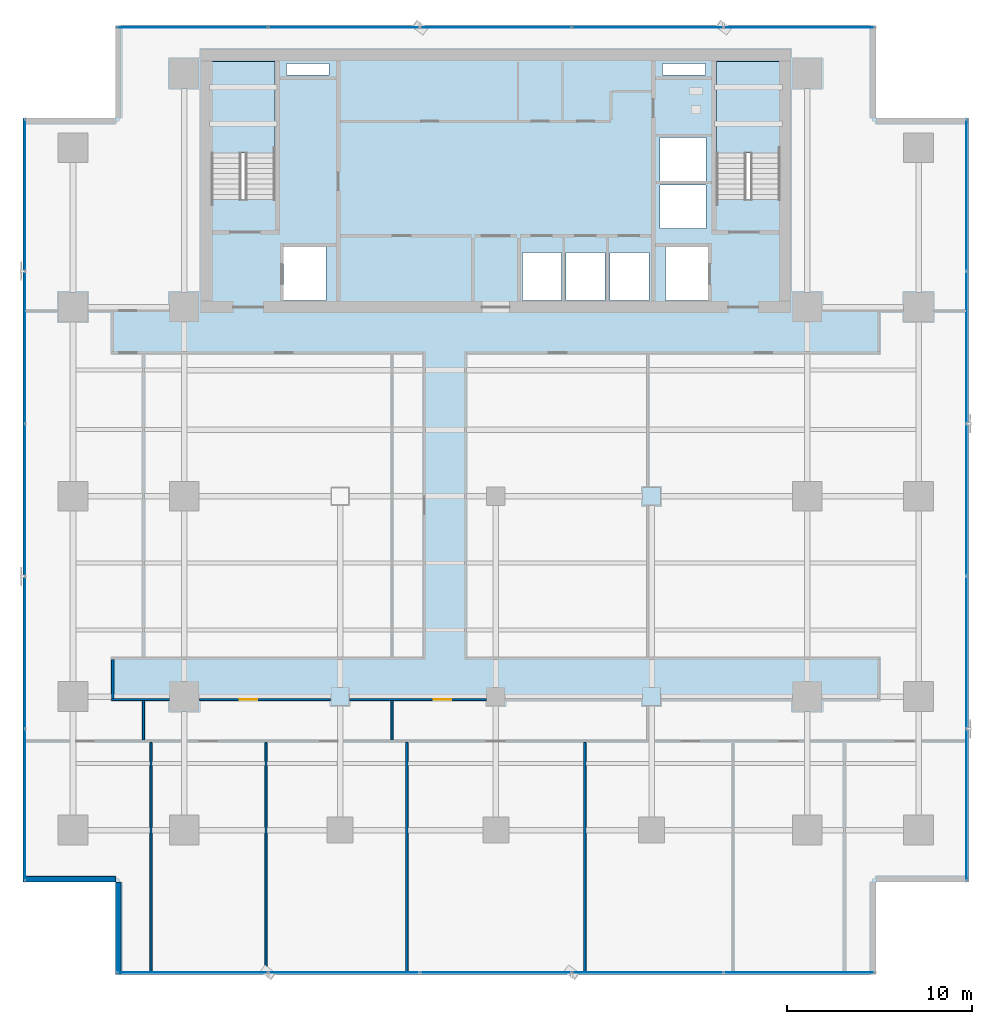
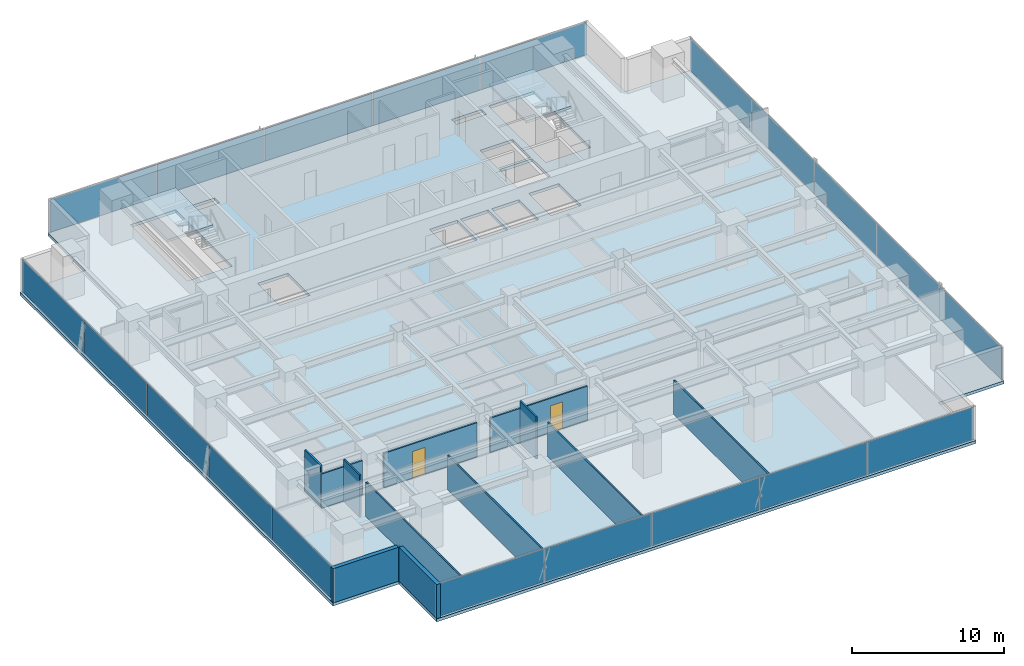
# One storey, part 27 of 36: 20 plates, 12 walls, 3 slabs, 2 doors, 2 openings, 6 elements without a shape of their own.
"""IFC4 building model written with IfcOpenShell, lengths in metres."""

from ifc_helpers import new_model, si_unit, direction, frame, frame_2d, origin, origin_2d, place, context, subcontext, project, spatial, polyline, rectangle, outline, extrude, source, transform, mapped, material, layer, layer_set, type_object, element, fill, aggregate, save


model = new_model("IFC4")

# Units and contexts
model_context = context("Model", 3, precision=1e-05, world=origin(), true_north=direction((0.0, 1.0)))
body_context = subcontext(model_context, "Body", "Model", "MODEL_VIEW")
ifc_project = project(units=[si_unit("LENGTHUNIT", "METRE"), si_unit("AREAUNIT", "SQUARE_METRE"), si_unit("VOLUMEUNIT", "CUBIC_METRE"), si_unit("PLANEANGLEUNIT", "RADIAN"), si_unit("MASSUNIT", "GRAM", prefix="KILO")], contexts=[model_context])

# Site, building, storey
site_placement = place(None, origin())
site = spatial("IfcSite", under=ifc_project, at=site_placement, CompositionType="ELEMENT")
building_placement = place(site_placement, origin())
building = spatial("IfcBuilding", under=site, at=building_placement, Name="Sumidabori Civic Tower", CompositionType="ELEMENT")
storey_placement = place(building_placement, frame((0.0, 0.0, 84.800048828125)))
storey = spatial("IfcBuildingStorey", under=building, at=storey_placement, Name="L21", CompositionType="ELEMENT", Elevation=84.800048828125)

# Stair, slab
ifc_material_1 = material(Name="Concrete C40/50", Category="concrete")
stair_type = type_object("IfcStairType", Name="ST-CORE-1600", PredefinedType="HALF_TURN_STAIR", material=ifc_material_1)
stair_1_placement = place(storey_placement, origin())
stair_1 = element("IfcStair", 1, at=stair_1_placement, inside=storey, type_object=stair_type, Name="L21 ST-1", PredefinedType="HALF_TURN_STAIR")
ifc_layer_1 = layer(ifc_material_1, 0.199951171875, Name="Concrete C40/50")
ifc_layer_set_1 = layer_set([ifc_layer_1], Name="Concrete C40/50")
slab_type_1 = type_object("IfcSlabType", Name="SL-LAND-200", PredefinedType="LANDING", material=ifc_layer_set_1)
slab_1_placement = place(storey_placement, frame((0.0, 0.0, 1.599853515625)))
slab_1 = element("IfcSlab", 2, at=slab_1_placement, type_object=slab_type_1, Name="ST-1 landing 1", PredefinedType="LANDING", context=body_context, shape_type="SweptSolid", body=[
    extrude(outline(polyline([(-11.89990234375, 18.52001953125), (-11.89990234375, 23.449951171875), (-15.340087890625, 23.449951171875), (-15.340087890625, 18.52001953125), (-11.89990234375, 18.52001953125)])), origin(), (0.0, 0.0, 1.0), 0.2001953125),
])
aggregate(stair_1, [slab_1])

stair_2_placement = place(storey_placement, origin())
stair_2 = element("IfcStair", 3, at=stair_2_placement, inside=storey, type_object=stair_type, Name="L21 ST-2", PredefinedType="HALF_TURN_STAIR")
slab_2_placement = place(storey_placement, frame((0.0, 0.0, 1.599853515625)))
slab_2 = element("IfcSlab", 4, at=slab_2_placement, type_object=slab_type_1, Name="ST-2 landing 1", PredefinedType="LANDING", context=body_context, shape_type="SweptSolid", body=[
    extrude(outline(polyline([(15.340087890625, 18.52001953125), (15.340087890625, 23.449951171875), (11.89990234375, 23.449951171875), (11.89990234375, 18.52001953125), (15.340087890625, 18.52001953125)])), origin(), (0.0, 0.0, 1.0), 0.2001953125),
])
aggregate(stair_2, [slab_2])

# Slab
ifc_layer_2 = layer(ifc_material_1, 0.239990234375, Name="Concrete C40/50")
ifc_layer_set_2 = layer_set([ifc_layer_2], Name="Concrete C40/50")
slab_type_2 = type_object("IfcSlabType", Name="SL-Z1-240", PredefinedType="FLOOR", material=ifc_layer_set_2)
slab_3_placement = place(storey_placement, frame((0.0, 0.0, -0.239990234375)))
element("IfcSlab", 5, at=slab_3_placement, inside=storey, type_object=slab_type_2, Name="Structural Slab L21", PredefinedType="FLOOR", context=body_context, shape_type="SweptSolid", body=[
    extrude(outline(polyline([(-20.5, -25.800048828125), (20.5, -25.800048828125), (20.5, -20.800048828125), (25.5, -20.800048828125), (25.5, 20.39990234375), (20.5, 20.39990234375), (20.5, 25.39990234375), (-20.5, 25.39990234375), (-20.5, 20.39990234375), (-25.5, 20.39990234375), (-25.5, -20.800048828125), (-20.5, -20.800048828125), (-20.5, -25.800048828125)]), holes=[polyline([(-11.89990234375, 16.0), (-11.89990234375, 23.449951171875), (-15.340087890625, 23.449951171875), (-15.340087890625, 16.0), (-11.89990234375, 16.0)]), polyline([(15.340087890625, 16.0), (15.340087890625, 23.449951171875), (11.89990234375, 23.449951171875), (11.89990234375, 16.0), (15.340087890625, 16.0)]), polyline([(-11.449951171875, 10.550048828125), (-9.14990234375, 10.550048828125), (-9.14990234375, 13.449951171875), (-11.449951171875, 13.449951171875), (-11.449951171875, 10.550048828125)]), polyline([(9.14990234375, 10.550048828125), (11.449951171875, 10.550048828125), (11.449951171875, 13.449951171875), (9.14990234375, 13.449951171875), (9.14990234375, 10.550048828125)]), polyline([(1.449951171875, 10.550048828125), (3.550048828125, 10.550048828125), (3.550048828125, 13.14990234375), (1.449951171875, 13.14990234375), (1.449951171875, 10.550048828125)]), polyline([(3.800048828125, 10.550048828125), (5.89990234375, 10.550048828125), (5.89990234375, 13.14990234375), (3.800048828125, 13.14990234375), (3.800048828125, 10.550048828125)]), polyline([(6.14990234375, 10.550048828125), (8.25, 10.550048828125), (8.25, 13.14990234375), (6.14990234375, 13.14990234375), (6.14990234375, 10.550048828125)]), polyline([(8.85009765625, 14.449951171875), (11.35009765625, 14.449951171875), (11.35009765625, 16.800048828125), (8.85009765625, 16.800048828125), (8.85009765625, 14.449951171875)]), polyline([(8.85009765625, 17.0), (11.35009765625, 17.0), (11.35009765625, 19.35009765625), (8.85009765625, 19.35009765625), (8.85009765625, 17.0)]), polyline([(-11.300048828125, 22.719970703125), (-9.0, 22.719970703125), (-9.0, 23.35009765625), (-11.300048828125, 23.35009765625), (-11.300048828125, 22.719970703125)]), polyline([(9.0, 22.719970703125), (11.300048828125, 22.719970703125), (11.300048828125, 23.35009765625), (9.0, 23.35009765625), (9.0, 22.719970703125)])]), origin(), (0.0, 0.0, 1.0), 0.239990234375),
])

# Curtain wall, plates
ifc_material_2 = material(Name="Anodised Bronze Aluminium AW-6063-T6", Category="aluminium")
ifc_layer_3 = layer(ifc_material_2, 0.179931640625, Name="Anodised Bronze Aluminium AW-6063-T6")
ifc_layer_set_3 = layer_set([ifc_layer_3], Name="Anodised Bronze Aluminium AW-6063-T6")
curtain_wall_type = type_object("IfcCurtainWallType", Name="CW-SYS-3", PredefinedType="NOTDEFINED", material=ifc_layer_set_3)
curtain_wall_1_placement = place(storey_placement, origin())
curtain_wall_1 = element("IfcCurtainWall", 6, at=curtain_wall_1_placement, inside=storey, type_object=curtain_wall_type, Name="Curtain Wall CW:L21:R01", PredefinedType="NOTDEFINED")
ifc_material_3 = material(Name="Low-E Solar-Control Vision Glazing", Category="glass")
ifc_layer_4 = layer(ifc_material_3, 0.028076171875, Name="Low-E Solar-Control Vision Glazing")
ifc_layer_set_4 = layer_set([ifc_layer_4], Name="Low-E Solar-Control Vision Glazing")
plate_type = type_object("IfcPlateType", Name="CW-PNL-28", PredefinedType="CURTAIN_PANEL", material=ifc_layer_set_4)
shared_shape_1 = source(origin(), body_context, "Body", "SweptSolid", [
    extrude(rectangle(XDim=8.090576171875, YDim=0.028076171875, at=origin_2d()), origin(), (0.0, 0.0, 1.0), 2.6201171875),
])
plate_1_placement = place(storey_placement, frame((-16.35986328125, -25.679931640625, 0.059814453125), z_axis=(0.0, 0.0, 1.0), x_axis=(1.0, 0.0, 0.0)))
plate_1 = element("IfcPlate", 7, at=plate_1_placement, type_object=plate_type, Name="CW-3 panel 1.1", PredefinedType="CURTAIN_PANEL", context=body_context, shape_type="MappedRepresentation", body=[
    mapped(shared_shape_1, transform((0.0, 0.0, 0.0), x_axis=(1.0, 0.0, 0.0), y_axis=(0.0, 1.0, 0.0), z_axis=(0.0, 0.0, 1.0), scale=1.0)),
])
plate_2_placement = place(storey_placement, frame((16.35986328125, -25.679931640625, 0.059814453125), z_axis=(0.0, 0.0, 1.0), x_axis=(1.0, 0.0, 0.0)))
plate_2 = element("IfcPlate", 8, at=plate_2_placement, type_object=plate_type, Name="CW-3 panel 5.1", PredefinedType="CURTAIN_PANEL", context=body_context, shape_type="MappedRepresentation", body=[
    mapped(shared_shape_1, transform((0.0, 0.0, 0.0), x_axis=(1.0, 0.0, 0.0), y_axis=(0.0, 1.0, 0.0), z_axis=(0.0, 0.0, 1.0), scale=1.0)),
])

curtain_wall_2_placement = place(storey_placement, origin())
curtain_wall_2 = element("IfcCurtainWall", 9, at=curtain_wall_2_placement, inside=storey, type_object=curtain_wall_type, Name="Curtain Wall CW:L21:R07", PredefinedType="NOTDEFINED")
plate_3_placement = place(storey_placement, frame((16.35986328125, 25.280029296875, 0.059814453125), z_axis=(0.0, 0.0, 1.0), x_axis=(-1.0, 0.0, 0.0)))
plate_3 = element("IfcPlate", 10, at=plate_3_placement, type_object=plate_type, Name="CW-3 panel 1.1", PredefinedType="CURTAIN_PANEL", context=body_context, shape_type="MappedRepresentation", body=[
    mapped(shared_shape_1, transform((0.0, 0.0, 0.0), x_axis=(1.0, 0.0, 0.0), y_axis=(0.0, 1.0, 0.0), z_axis=(0.0, 0.0, 1.0), scale=1.0)),
])
plate_4_placement = place(storey_placement, frame((-16.35986328125, 25.280029296875, 0.059814453125), z_axis=(0.0, 0.0, 1.0), x_axis=(-1.0, 0.0, 0.0)))
plate_4 = element("IfcPlate", 11, at=plate_4_placement, type_object=plate_type, Name="CW-3 panel 5.1", PredefinedType="CURTAIN_PANEL", context=body_context, shape_type="MappedRepresentation", body=[
    mapped(shared_shape_1, transform((0.0, 0.0, 0.0), x_axis=(1.0, 0.0, 0.0), y_axis=(0.0, 1.0, 0.0), z_axis=(0.0, 0.0, 1.0), scale=1.0)),
])

# Plate
shared_shape_2 = source(origin(), body_context, "Body", "SweptSolid", [
    extrude(rectangle(XDim=8.123046875, YDim=0.028076171875, at=origin_2d()), origin(), (0.0, 0.0, 1.0), 2.6201171875),
])
plate_5_placement = place(storey_placement, frame((-8.18798828125, -25.679931640625, 0.059814453125), z_axis=(0.0, 0.0, 1.0), x_axis=(1.0, 0.0, 0.0)))
plate_5 = element("IfcPlate", 12, at=plate_5_placement, type_object=plate_type, Name="CW-3 panel 2.1", PredefinedType="CURTAIN_PANEL", context=body_context, shape_type="MappedRepresentation", body=[
    mapped(shared_shape_2, transform((0.0, 0.0, 0.0), x_axis=(1.0, 0.0, 0.0), y_axis=(0.0, 1.0, 0.0), z_axis=(0.0, 0.0, 1.0), scale=1.0)),
])

plate_6_placement = place(storey_placement, frame((0.0, -25.679931640625, 0.059814453125), z_axis=(0.0, 0.0, 1.0), x_axis=(1.0, 0.0, 0.0)))
plate_6 = element("IfcPlate", 13, at=plate_6_placement, type_object=plate_type, Name="CW-3 panel 3.1", PredefinedType="CURTAIN_PANEL", context=body_context, shape_type="MappedRepresentation", body=[
    mapped(shared_shape_2, transform((0.0, 0.0, 0.0), x_axis=(1.0, 0.0, 0.0), y_axis=(0.0, 1.0, 0.0), z_axis=(0.0, 0.0, 1.0), scale=1.0)),
])

plate_7_placement = place(storey_placement, frame((8.18798828125, -25.679931640625, 0.059814453125), z_axis=(0.0, 0.0, 1.0), x_axis=(1.0, 0.0, 0.0)))
plate_7 = element("IfcPlate", 14, at=plate_7_placement, type_object=plate_type, Name="CW-3 panel 4.1", PredefinedType="CURTAIN_PANEL", context=body_context, shape_type="MappedRepresentation", body=[
    mapped(shared_shape_2, transform((0.0, 0.0, 0.0), x_axis=(1.0, 0.0, 0.0), y_axis=(0.0, 1.0, 0.0), z_axis=(0.0, 0.0, 1.0), scale=1.0)),
])

aggregate(curtain_wall_1, [plate_1, plate_5, plate_6, plate_7, plate_2])

plate_8_placement = place(storey_placement, frame((8.18798828125, 25.280029296875, 0.059814453125), z_axis=(0.0, 0.0, 1.0), x_axis=(-1.0, 0.0, 0.0)))
plate_8 = element("IfcPlate", 15, at=plate_8_placement, type_object=plate_type, Name="CW-3 panel 2.1", PredefinedType="CURTAIN_PANEL", context=body_context, shape_type="MappedRepresentation", body=[
    mapped(shared_shape_2, transform((0.0, 0.0, 0.0), x_axis=(1.0, 0.0, 0.0), y_axis=(0.0, 1.0, 0.0), z_axis=(0.0, 0.0, 1.0), scale=1.0)),
])

plate_9_placement = place(storey_placement, frame((0.0, 25.280029296875, 0.059814453125), z_axis=(0.0, 0.0, 1.0), x_axis=(-1.0, 0.0, 0.0)))
plate_9 = element("IfcPlate", 16, at=plate_9_placement, type_object=plate_type, Name="CW-3 panel 3.1", PredefinedType="CURTAIN_PANEL", context=body_context, shape_type="MappedRepresentation", body=[
    mapped(shared_shape_2, transform((0.0, 0.0, 0.0), x_axis=(1.0, 0.0, 0.0), y_axis=(0.0, 1.0, 0.0), z_axis=(0.0, 0.0, 1.0), scale=1.0)),
])

plate_10_placement = place(storey_placement, frame((-8.18798828125, 25.280029296875, 0.059814453125), z_axis=(0.0, 0.0, 1.0), x_axis=(-1.0, 0.0, 0.0)))
plate_10 = element("IfcPlate", 17, at=plate_10_placement, type_object=plate_type, Name="CW-3 panel 4.1", PredefinedType="CURTAIN_PANEL", context=body_context, shape_type="MappedRepresentation", body=[
    mapped(shared_shape_2, transform((0.0, 0.0, 0.0), x_axis=(1.0, 0.0, 0.0), y_axis=(0.0, 1.0, 0.0), z_axis=(0.0, 0.0, 1.0), scale=1.0)),
])

aggregate(curtain_wall_2, [plate_3, plate_8, plate_9, plate_10, plate_4])

# Curtain wall, plates
curtain_wall_3_placement = place(storey_placement, origin())
curtain_wall_3 = element("IfcCurtainWall", 18, at=curtain_wall_3_placement, inside=storey, type_object=curtain_wall_type, Name="Curtain Wall CW:L21:R04", PredefinedType="NOTDEFINED")
shared_shape_3 = source(origin(), body_context, "Body", "SweptSolid", [
    extrude(rectangle(XDim=8.130615234375, YDim=0.028076171875, at=origin_2d()), origin(), (0.0, 0.0, 1.0), 2.6201171875),
])
plate_11_placement = place(storey_placement, frame((25.3798828125, -16.6396484375, 0.059814453125), z_axis=(0.0, 0.0, 1.0), x_axis=(0.0, 1.0, 0.0)))
plate_11 = element("IfcPlate", 19, at=plate_11_placement, type_object=plate_type, Name="CW-3 panel 1.1", PredefinedType="CURTAIN_PANEL", context=body_context, shape_type="MappedRepresentation", body=[
    mapped(shared_shape_3, transform((0.0, 0.0, 0.0), x_axis=(1.0, 0.0, 0.0), y_axis=(0.0, 1.0, 0.0), z_axis=(0.0, 0.0, 1.0), scale=1.0)),
])
plate_12_placement = place(storey_placement, frame((25.3798828125, 16.23974609375, 0.059814453125), z_axis=(0.0, 0.0, 1.0), x_axis=(0.0, 1.0, 0.0)))
plate_12 = element("IfcPlate", 20, at=plate_12_placement, type_object=plate_type, Name="CW-3 panel 5.1", PredefinedType="CURTAIN_PANEL", context=body_context, shape_type="MappedRepresentation", body=[
    mapped(shared_shape_3, transform((0.0, 0.0, 0.0), x_axis=(1.0, 0.0, 0.0), y_axis=(0.0, 1.0, 0.0), z_axis=(0.0, 0.0, 1.0), scale=1.0)),
])

curtain_wall_4_placement = place(storey_placement, origin())
curtain_wall_4 = element("IfcCurtainWall", 21, at=curtain_wall_4_placement, inside=storey, type_object=curtain_wall_type, Name="Curtain Wall CW:L21:R10", PredefinedType="NOTDEFINED")
plate_13_placement = place(storey_placement, frame((-25.3798828125, 16.23974609375, 0.059814453125), z_axis=(0.0, 0.0, 1.0), x_axis=(0.0, -1.0, 0.0)))
plate_13 = element("IfcPlate", 22, at=plate_13_placement, type_object=plate_type, Name="CW-3 panel 1.1", PredefinedType="CURTAIN_PANEL", context=body_context, shape_type="MappedRepresentation", body=[
    mapped(shared_shape_3, transform((0.0, 0.0, 0.0), x_axis=(1.0, 0.0, 0.0), y_axis=(0.0, 1.0, 0.0), z_axis=(0.0, 0.0, 1.0), scale=1.0)),
])
plate_14_placement = place(storey_placement, frame((-25.3798828125, -16.6396484375, 0.059814453125), z_axis=(0.0, 0.0, 1.0), x_axis=(0.0, -1.0, 0.0)))
plate_14 = element("IfcPlate", 23, at=plate_14_placement, type_object=plate_type, Name="CW-3 panel 5.1", PredefinedType="CURTAIN_PANEL", context=body_context, shape_type="MappedRepresentation", body=[
    mapped(shared_shape_3, transform((0.0, 0.0, 0.0), x_axis=(1.0, 0.0, 0.0), y_axis=(0.0, 1.0, 0.0), z_axis=(0.0, 0.0, 1.0), scale=1.0)),
])

# Plate
shared_shape_4 = source(origin(), body_context, "Body", "SweptSolid", [
    extrude(rectangle(XDim=8.1630859375, YDim=0.028076171875, at=origin_2d()), origin(), (0.0, 0.0, 1.0), 2.6201171875),
])
plate_15_placement = place(storey_placement, frame((25.3798828125, -8.427978515625, 0.059814453125), z_axis=(0.0, 0.0, 1.0), x_axis=(0.0, 1.0, 0.0)))
plate_15 = element("IfcPlate", 24, at=plate_15_placement, type_object=plate_type, Name="CW-3 panel 2.1", PredefinedType="CURTAIN_PANEL", context=body_context, shape_type="MappedRepresentation", body=[
    mapped(shared_shape_4, transform((0.0, 0.0, 0.0), x_axis=(1.0, 0.0, 0.0), y_axis=(0.0, 1.0, 0.0), z_axis=(0.0, 0.0, 1.0), scale=1.0)),
])

plate_16_placement = place(storey_placement, frame((25.3798828125, -0.199951171875, 0.059814453125), z_axis=(0.0, 0.0, 1.0), x_axis=(0.0, 1.0, 0.0)))
plate_16 = element("IfcPlate", 25, at=plate_16_placement, type_object=plate_type, Name="CW-3 panel 3.1", PredefinedType="CURTAIN_PANEL", context=body_context, shape_type="MappedRepresentation", body=[
    mapped(shared_shape_4, transform((0.0, 0.0, 0.0), x_axis=(1.0, 0.0, 0.0), y_axis=(0.0, 1.0, 0.0), z_axis=(0.0, 0.0, 1.0), scale=1.0)),
])

plate_17_placement = place(storey_placement, frame((25.3798828125, 8.028076171875, 0.059814453125), z_axis=(0.0, 0.0, 1.0), x_axis=(0.0, 1.0, 0.0)))
plate_17 = element("IfcPlate", 26, at=plate_17_placement, type_object=plate_type, Name="CW-3 panel 4.1", PredefinedType="CURTAIN_PANEL", context=body_context, shape_type="MappedRepresentation", body=[
    mapped(shared_shape_4, transform((0.0, 0.0, 0.0), x_axis=(1.0, 0.0, 0.0), y_axis=(0.0, 1.0, 0.0), z_axis=(0.0, 0.0, 1.0), scale=1.0)),
])

aggregate(curtain_wall_3, [plate_11, plate_15, plate_16, plate_17, plate_12])

plate_18_placement = place(storey_placement, frame((-25.3798828125, 8.028076171875, 0.059814453125), z_axis=(0.0, 0.0, 1.0), x_axis=(0.0, -1.0, 0.0)))
plate_18 = element("IfcPlate", 27, at=plate_18_placement, type_object=plate_type, Name="CW-3 panel 2.1", PredefinedType="CURTAIN_PANEL", context=body_context, shape_type="MappedRepresentation", body=[
    mapped(shared_shape_4, transform((0.0, 0.0, 0.0), x_axis=(1.0, 0.0, 0.0), y_axis=(0.0, 1.0, 0.0), z_axis=(0.0, 0.0, 1.0), scale=1.0)),
])

plate_19_placement = place(storey_placement, frame((-25.3798828125, -0.199951171875, 0.059814453125), z_axis=(0.0, 0.0, 1.0), x_axis=(0.0, -1.0, 0.0)))
plate_19 = element("IfcPlate", 28, at=plate_19_placement, type_object=plate_type, Name="CW-3 panel 3.1", PredefinedType="CURTAIN_PANEL", context=body_context, shape_type="MappedRepresentation", body=[
    mapped(shared_shape_4, transform((0.0, 0.0, 0.0), x_axis=(1.0, 0.0, 0.0), y_axis=(0.0, 1.0, 0.0), z_axis=(0.0, 0.0, 1.0), scale=1.0)),
])

plate_20_placement = place(storey_placement, frame((-25.3798828125, -8.427978515625, 0.059814453125), z_axis=(0.0, 0.0, 1.0), x_axis=(0.0, -1.0, 0.0)))
plate_20 = element("IfcPlate", 29, at=plate_20_placement, type_object=plate_type, Name="CW-3 panel 4.1", PredefinedType="CURTAIN_PANEL", context=body_context, shape_type="MappedRepresentation", body=[
    mapped(shared_shape_4, transform((0.0, 0.0, 0.0), x_axis=(1.0, 0.0, 0.0), y_axis=(0.0, 1.0, 0.0), z_axis=(0.0, 0.0, 1.0), scale=1.0)),
])

aggregate(curtain_wall_4, [plate_13, plate_18, plate_19, plate_20, plate_14])

# Walls
ifc_material_4 = material(Name="Precast concrete C40/50", Category="concrete")
ifc_layer_5 = layer(ifc_material_4, 0.300048828125, Name="Precast concrete C40/50")
ifc_layer_set_5 = layer_set([ifc_layer_5], Name="Precast concrete C40/50")
wall_type_1 = type_object("IfcWallType", Name="WL-EXT-POD300", PredefinedType="STANDARD", material=ifc_layer_set_5)
shared_shape_5 = source(origin(), body_context, "Body", "SweptSolid", [
    extrude(rectangle(XDim=4.9599609375, YDim=0.300048828125, at=frame_2d((2.47998046875, 0.0))), origin(), (0.0, 0.0, 1.0), 2.739990234375),
])
for number, where, z_axis, x_axis, name in (
    (30, (-25.47998046875, -20.64990234375, 0.0), (0.0, 0.0, 1.0), (1.0, 0.0, 0.0), "Notched Corner Spandrel Band L21-11"),
    (31, (-20.35009765625, -20.820068359375, 0.0), (0.0, 0.0, 1.0), (0.0, -1.0, 0.0), "Notched Corner Spandrel Band L21-12"),
):
    element("IfcWall", number, at=place(storey_placement, frame(where, z_axis=z_axis, x_axis=x_axis)), inside=storey, type_object=wall_type_1, Name=name, PredefinedType="STANDARD", context=body_context, shape_type="MappedRepresentation", body=[
        mapped(shared_shape_5, transform((0.0, 0.0, 0.0), x_axis=(1.0, 0.0, 0.0), y_axis=(0.0, 1.0, 0.0), z_axis=(0.0, 0.0, 1.0), scale=1.0)),
    ])
ifc_material_5 = material(Name="Gypsum Plasterboard Acoustic Partition")
ifc_layer_6 = layer(ifc_material_5, 0.1201171875, Name="Gypsum Plasterboard Acoustic Partition")
ifc_layer_set_6 = layer_set([ifc_layer_6], Name="Gypsum Plasterboard Acoustic Partition")
wall_type_2 = type_object("IfcWallType", Name="WL-PART-120", PredefinedType="PARTITIONING", material=ifc_layer_set_6)
shared_shape_6 = source(origin(), body_context, "Body", "SweptSolid", [
    extrude(rectangle(XDim=3.10986328125, YDim=0.1201171875, at=frame_2d((1.554931640625, 0.0))), origin(), (0.0, 0.0, 1.0), 2.744873046875),
])
wall_1_placement = place(storey_placement, frame((-20.719970703125, -10.9599609375, 0.0), z_axis=(0.0, 0.0, 1.0), x_axis=(1.0, 0.0, 0.0)))
element("IfcWall", 32, at=wall_1_placement, inside=storey, type_object=wall_type_2, Name="Interior Partition WL:L21:CORR-SS-1", PredefinedType="PARTITIONING", context=body_context, shape_type="MappedRepresentation", body=[
    mapped(shared_shape_6, transform((0.0, 0.0, 0.0), x_axis=(1.0, 0.0, 0.0), y_axis=(0.0, 1.0, 0.0), z_axis=(0.0, 0.0, 1.0), scale=1.0)),
])

# Wall, opening, door
shared_shape_7 = source(origin(), body_context, "Body", "SweptSolid", [
    extrude(rectangle(XDim=7.080078125, YDim=0.1201171875, at=frame_2d((3.5400390625, 0.0))), origin(), (0.0, 0.0, 1.0), 2.744873046875),
])
wall_2_placement = place(storey_placement, frame((-15.989990234375, -10.9599609375, 0.0), z_axis=(0.0, 0.0, 1.0), x_axis=(1.0, 0.0, 0.0)))
wall_2 = element("IfcWall", 33, at=wall_2_placement, inside=storey, type_object=wall_type_2, Name="Interior Partition WL:L21:CORR-SS-2", PredefinedType="PARTITIONING", context=body_context, shape_type="MappedRepresentation", body=[
    mapped(shared_shape_7, transform((0.0, 0.0, 0.0), x_axis=(1.0, 0.0, 0.0), y_axis=(0.0, 1.0, 0.0), z_axis=(0.0, 0.0, 1.0), scale=1.0)),
])
opening_1_placement = place(wall_2_placement, frame((2.18505859375, 0.0, 0.0)))
opening_1 = element("IfcOpeningElement", 34, at=opening_1_placement, cuts=wall_2, Name="Opening DR-2", PredefinedType="OPENING", context=body_context, shape_type="SweptSolid", body=[
    extrude(rectangle(XDim=0.949951171875, YDim=2.14990234375, at=frame_2d((0.47509765625, 1.074951171875))), frame((0.0, 0.072021484375, 0.0), z_axis=(0.0, -1.0, 0.0), x_axis=(1.0, 0.0, 0.0)), (0.0, 0.0, 1.0), 0.14404296875),
])
ifc_material_6 = material(Name="Japanese Hinoki Timber", Category="wood")
door_type = type_object("IfcDoorType", Name="DR-INT-950", OperationType="NOTDEFINED", PredefinedType="DOOR", material=ifc_material_6)
shared_shape_8 = source(origin(), body_context, "Body", "SweptSolid", [
    extrude(rectangle(XDim=0.949951171875, YDim=2.14990234375, at=frame_2d((0.47509765625, 1.074951171875))), frame((0.0, 0.02490234375, 0.0), z_axis=(0.0, -1.0, 0.0), x_axis=(1.0, 0.0, 0.0)), (0.0, 0.0, 1.0), 0.050048828125),
])
door_1_placement = place(opening_1_placement, origin())
door_1 = element("IfcDoor", 35, at=door_1_placement, inside=storey, type_object=door_type, Name="Door DR:L21:D07", OperationType="SINGLE_SWING_LEFT", OverallHeight=2.14990234375, OverallWidth=0.949951171875, PredefinedType="DOOR", context=body_context, shape_type="MappedRepresentation", body=[
    mapped(shared_shape_8, transform((0.0, 0.0, 0.0), x_axis=(1.0, 0.0, 0.0), y_axis=(0.0, 1.0, 0.0), z_axis=(0.0, 0.0, 1.0), scale=1.0)),
])
fill(opening_1, door_1)

shared_shape_9 = source(origin(), body_context, "Body", "SweptSolid", [
    extrude(rectangle(XDim=7.3798828125, YDim=0.1201171875, at=frame_2d((3.68994140625, 0.0))), origin(), (0.0, 0.0, 1.0), 2.744873046875),
])
wall_3_placement = place(storey_placement, frame((-7.889892578125, -10.9599609375, 0.0), z_axis=(0.0, 0.0, 1.0), x_axis=(1.0, 0.0, 0.0)))
wall_3 = element("IfcWall", 36, at=wall_3_placement, inside=storey, type_object=wall_type_2, Name="Interior Partition WL:L21:CORR-SS-3", PredefinedType="PARTITIONING", context=body_context, shape_type="MappedRepresentation", body=[
    mapped(shared_shape_9, transform((0.0, 0.0, 0.0), x_axis=(1.0, 0.0, 0.0), y_axis=(0.0, 1.0, 0.0), z_axis=(0.0, 0.0, 1.0), scale=1.0)),
])
opening_2_placement = place(wall_3_placement, frame((4.550048828125, 0.0, 0.0)))
opening_2 = element("IfcOpeningElement", 37, at=opening_2_placement, cuts=wall_3, Name="Opening DR-2", PredefinedType="OPENING", context=body_context, shape_type="SweptSolid", body=[
    extrude(rectangle(XDim=0.949951171875, YDim=2.14990234375, at=frame_2d((0.47509765625, 1.074951171875))), frame((0.0, 0.072021484375, 0.0), z_axis=(0.0, -1.0, 0.0), x_axis=(1.0, 0.0, 0.0)), (0.0, 0.0, 1.0), 0.14404296875),
])
door_2_placement = place(opening_2_placement, origin())
door_2 = element("IfcDoor", 38, at=door_2_placement, inside=storey, type_object=door_type, Name="Door DR:L21:D08", OperationType="SINGLE_SWING_RIGHT", OverallHeight=2.14990234375, OverallWidth=0.949951171875, PredefinedType="DOOR", context=body_context, shape_type="MappedRepresentation", body=[
    mapped(shared_shape_8, transform((0.0, 0.0, 0.0), x_axis=(1.0, 0.0, 0.0), y_axis=(0.0, 1.0, 0.0), z_axis=(0.0, 0.0, 1.0), scale=1.0)),
])
fill(opening_2, door_2)

# Walls
shared_shape_10 = source(origin(), body_context, "Body", "SweptSolid", [
    extrude(rectangle(XDim=2.090087890625, YDim=0.1201171875, at=frame_2d((1.044921875, 0.0))), origin(), (0.0, 0.0, 1.0), 3.35986328125),
])
wall_4_placement = place(storey_placement, frame((-20.659912109375, -10.89501953125, 0.0), z_axis=(0.0, 0.0, 1.0), x_axis=(0.0, 1.0, 0.0)))
element("IfcWall", 39, at=wall_4_placement, inside=storey, type_object=wall_type_2, Name="Interior Partition WL:L21:CORR-VSW", PredefinedType="PARTITIONING", context=body_context, shape_type="MappedRepresentation", body=[
    mapped(shared_shape_10, transform((0.0, 0.0, 0.0), x_axis=(1.0, 0.0, 0.0), y_axis=(0.0, 1.0, 0.0), z_axis=(0.0, 0.0, 1.0), scale=1.0)),
])
shared_shape_11 = source(origin(), body_context, "Body", "SweptSolid", [
    extrude(rectangle(XDim=2.110107421875, YDim=0.1201171875, at=frame_2d((1.05517578125, 0.0))), origin(), (0.0, 0.0, 1.0), 3.35986328125),
])
for number, where, z_axis, x_axis, name in (
    (40, (-19.0, -13.135009765625, 0.0), (0.0, 0.0, 1.0), (0.0, 1.0, 0.0), "Interior Partition WL:L21:VX-N1-1"),
    (41, (-5.60009765625, -13.135009765625, 0.0), (0.0, 0.0, 1.0), (0.0, 1.0, 0.0), "Interior Partition WL:L21:VX-N2-1"),
):
    element("IfcWall", number, at=place(storey_placement, frame(where, z_axis=z_axis, x_axis=x_axis)), inside=storey, type_object=wall_type_2, Name=name, PredefinedType="PARTITIONING", context=body_context, shape_type="MappedRepresentation", body=[
        mapped(shared_shape_11, transform((0.0, 0.0, 0.0), x_axis=(1.0, 0.0, 0.0), y_axis=(0.0, 1.0, 0.0), z_axis=(0.0, 0.0, 1.0), scale=1.0)),
    ])
shared_shape_12 = source(origin(), body_context, "Body", "SweptSolid", [
    extrude(rectangle(XDim=12.385009765625, YDim=0.1201171875, at=frame_2d((6.1923828125, 0.0))), origin(), (0.0, 0.0, 1.0), 2.744873046875),
])
for number, where, z_axis, x_axis, name in (
    (42, (-18.60009765625, -25.64990234375, 0.0), (0.0, 0.0, 1.0), (0.0, 1.0, 0.0), "Interior Partition WL:L21:VX-S1"),
    (43, (-12.39990234375, -25.64990234375, 0.0), (0.0, 0.0, 1.0), (0.0, 1.0, 0.0), "Interior Partition WL:L21:VX-S2"),
    (44, (-4.800048828125, -25.64990234375, 0.0), (0.0, 0.0, 1.0), (0.0, 1.0, 0.0), "Interior Partition WL:L21:VX-S3"),
    (45, (4.800048828125, -25.64990234375, 0.0), (0.0, 0.0, 1.0), (0.0, 1.0, 0.0), "Interior Partition WL:L21:VX-S4"),
):
    element("IfcWall", number, at=place(storey_placement, frame(where, z_axis=z_axis, x_axis=x_axis)), inside=storey, type_object=wall_type_2, Name=name, PredefinedType="PARTITIONING", context=body_context, shape_type="MappedRepresentation", body=[
        mapped(shared_shape_12, transform((0.0, 0.0, 0.0), x_axis=(1.0, 0.0, 0.0), y_axis=(0.0, 1.0, 0.0), z_axis=(0.0, 0.0, 1.0), scale=1.0)),
    ])

save(model, "model.ifc")
